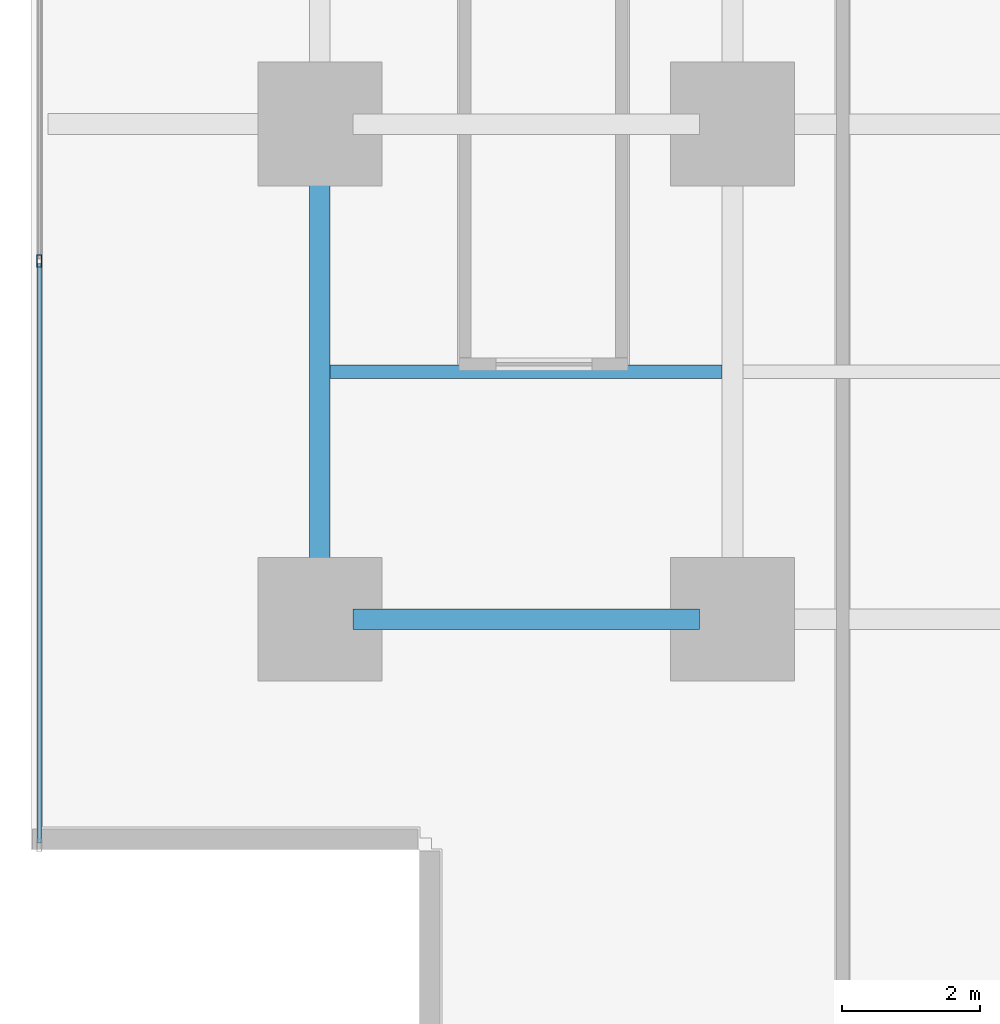
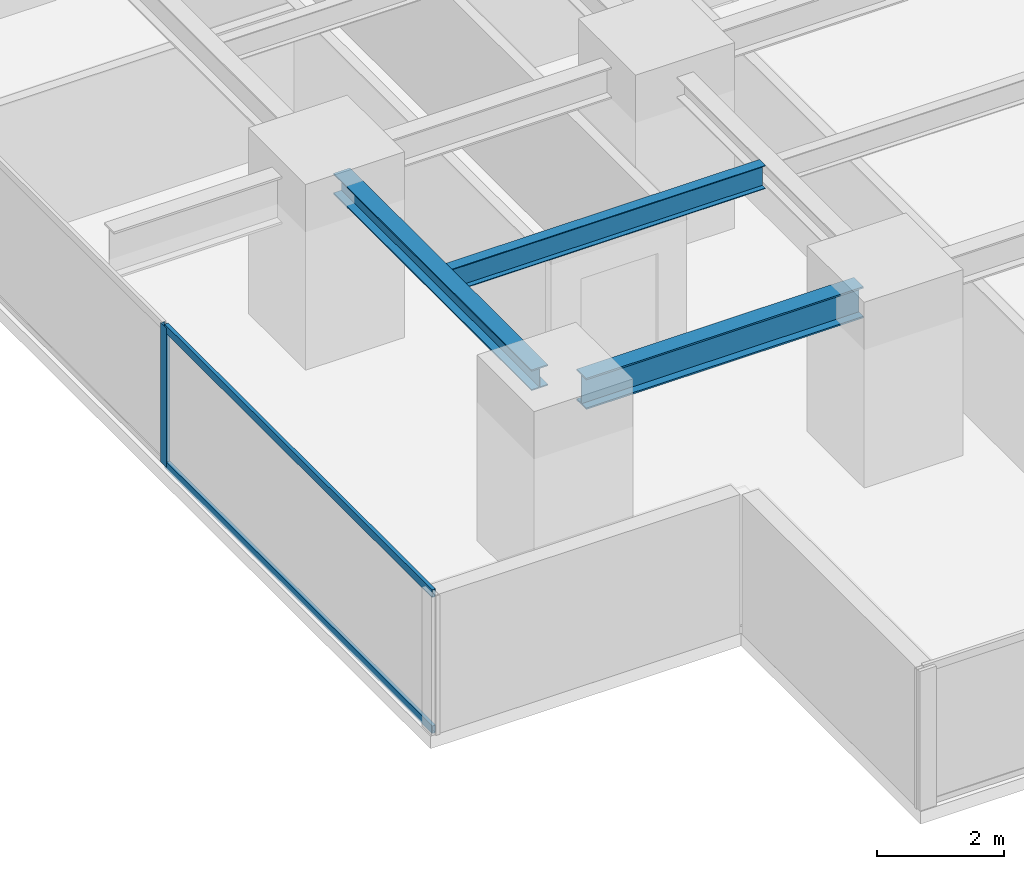
# One storey, part 3 of 33: 3 beams, 3 members, 1 element without a shape of its own.
"""IFC4 building model written with IfcOpenShell, lengths in metres."""

from ifc_helpers import new_model, si_unit, direction, frame, origin, origin_2d, place, context, subcontext, project, spatial, hollow_rectangle, i_section, extrude, source, transform, mapped, material, layer, layer_set, material_profile, profile_set, type_object, element, aggregate, save


model = new_model("IFC4")

# Units and contexts
model_context = context("Model", 3, precision=1e-05, world=origin(), true_north=direction((0.0, 1.0)))
body_context = subcontext(model_context, "Body", "Model", "MODEL_VIEW")
ifc_project = project(units=[si_unit("LENGTHUNIT", "METRE"), si_unit("AREAUNIT", "SQUARE_METRE"), si_unit("VOLUMEUNIT", "CUBIC_METRE"), si_unit("PLANEANGLEUNIT", "RADIAN"), si_unit("MASSUNIT", "GRAM", prefix="KILO")], contexts=[model_context])

# Site, building, storey
site_placement = place(None, origin())
site = spatial("IfcSite", under=ifc_project, at=site_placement, CompositionType="ELEMENT")
building_placement = place(site_placement, origin())
building = spatial("IfcBuilding", under=site, at=building_placement, Name="Sumidabori Civic Tower", CompositionType="ELEMENT")
storey_placement = place(building_placement, frame((0.0, 0.0, 66.800048828125)))
storey = spatial("IfcBuildingStorey", under=building, at=storey_placement, Name="L17", CompositionType="ELEMENT", Elevation=66.800048828125)

# Beams
ifc_material_1 = material(Name="Steel SN490", Category="steel")
ifc_material_profile_1 = material_profile(ifc_material_1, i_section(OverallWidth=0.300048828125, OverallDepth=0.60009765625, WebThickness=0.015380859375, FlangeThickness=0.030029296875, at=origin_2d()), Name="HE 600 B")
ifc_profile_set_1 = profile_set([ifc_material_profile_1], Name="Steel SN490")
beam_type_1 = type_object("IfcBeamType", Name="BM-GIRD-600", PredefinedType="BEAM", material=ifc_profile_set_1)
shared_shape_1 = source(origin(), body_context, "Body", "SweptSolid", [
    extrude(i_section(OverallWidth=0.300048828125, OverallDepth=0.60009765625, WebThickness=0.015380859375, FlangeThickness=0.030029296875, at=origin_2d()), origin(), (0.0, 0.0, 1.0), 5.0400390625),
])
beam_1_placement = place(storey_placement, frame((-22.320068359375, -18.0, 3.0), z_axis=(1.0, 0.0, 0.0), x_axis=(0.0, 1.0, 0.0)))
element("IfcBeam", 1, at=beam_1_placement, inside=storey, type_object=beam_type_1, Name="Primary Girder L17 GX-01", PredefinedType="BEAM", context=body_context, shape_type="MappedRepresentation", body=[
    mapped(shared_shape_1, transform((0.0, 0.0, 0.0), x_axis=(1.0, 0.0, 0.0), y_axis=(0.0, 1.0, 0.0), z_axis=(0.0, 0.0, 1.0), scale=1.0)),
])
ifc_material_profile_2 = material_profile(ifc_material_1, i_section(OverallWidth=0.300048828125, OverallDepth=0.39990234375, WebThickness=0.013427734375, FlangeThickness=0.02392578125, at=origin_2d()), Name="HE 400 B")
ifc_profile_set_2 = profile_set([ifc_material_profile_2], Name="Steel SN490")
beam_type_2 = type_object("IfcBeamType", Name="BM-GIRD-400", PredefinedType="BEAM", material=ifc_profile_set_2)
shared_shape_2 = source(origin(), body_context, "Body", "SweptSolid", [
    extrude(i_section(OverallWidth=0.300048828125, OverallDepth=0.39990234375, WebThickness=0.013427734375, FlangeThickness=0.02392578125, at=origin_2d()), origin(), (0.0, 0.0, 1.0), 6.239990234375),
])
beam_2_placement = place(storey_placement, frame((-22.800048828125, -17.52001953125, 3.099853515625), z_axis=(0.0, 1.0, 0.0), x_axis=(-1.0, 0.0, 0.0)))
element("IfcBeam", 2, at=beam_2_placement, inside=storey, type_object=beam_type_2, Name="Primary Girder L17 GY-21", PredefinedType="BEAM", context=body_context, shape_type="MappedRepresentation", body=[
    mapped(shared_shape_2, transform((0.0, 0.0, 0.0), x_axis=(1.0, 0.0, 0.0), y_axis=(0.0, 1.0, 0.0), z_axis=(0.0, 0.0, 1.0), scale=1.0)),
])
ifc_material_profile_3 = material_profile(ifc_material_1, i_section(OverallWidth=0.18994140625, OverallDepth=0.449951171875, WebThickness=0.009521484375, FlangeThickness=0.0146484375, at=origin_2d()), Name="IPE 450")
ifc_profile_set_3 = profile_set([ifc_material_profile_3], Name="Steel SN490")
beam_type_3 = type_object("IfcBeamType", Name="BM-JST-450", PredefinedType="JOIST", material=ifc_profile_set_3)
shared_shape_3 = source(origin(), body_context, "Body", "SweptSolid", [
    extrude(i_section(OverallWidth=0.18994140625, OverallDepth=0.449951171875, WebThickness=0.009521484375, FlangeThickness=0.0146484375, at=origin_2d()), origin(), (0.0, 0.0, 1.0), 5.699951171875),
])
beam_3_placement = place(storey_placement, frame((-22.64990234375, -14.39990234375, 3.074951171875), z_axis=(1.0, 0.0, 0.0), x_axis=(0.0, 1.0, 0.0)))
element("IfcBeam", 3, at=beam_3_placement, inside=storey, type_object=beam_type_3, Name="Outer Bay Floor Joist L17 JSTO-57", PredefinedType="JOIST", context=body_context, shape_type="MappedRepresentation", body=[
    mapped(shared_shape_3, transform((0.0, 0.0, 0.0), x_axis=(1.0, 0.0, 0.0), y_axis=(0.0, 1.0, 0.0), z_axis=(0.0, 0.0, 1.0), scale=1.0)),
])

# Curtain wall, members
ifc_material_2 = material(Name="Anodised Bronze Aluminium AW-6063-T6", Category="aluminium")
ifc_layer = layer(ifc_material_2, 0.179931640625, Name="Anodised Bronze Aluminium AW-6063-T6")
ifc_layer_set = layer_set([ifc_layer], Name="Anodised Bronze Aluminium AW-6063-T6")
curtain_wall_type = type_object("IfcCurtainWallType", Name="CW-SYS-2", PredefinedType="NOTDEFINED", material=ifc_layer_set)
curtain_wall_placement = place(storey_placement, origin())
curtain_wall = element("IfcCurtainWall", 4, at=curtain_wall_placement, inside=storey, type_object=curtain_wall_type, Name="Curtain Wall CW:L17:R10", PredefinedType="NOTDEFINED")
ifc_material_profile_4 = material_profile(ifc_material_2, hollow_rectangle(XDim=0.06494140625, YDim=0.14990234375, WallThickness=0.0048828125, at=origin_2d()), Name="ALU TRANSOM 150x65")
ifc_profile_set_4 = profile_set([ifc_material_profile_4], Name="Anodised Bronze Aluminium AW-6063-T6")
member_type_1 = type_object("IfcMemberType", Name="CW-TRN-150", PredefinedType="USERDEFINED", material=ifc_profile_set_4)
shared_shape_4 = source(origin(), body_context, "Body", "SweptSolid", [
    extrude(hollow_rectangle(XDim=0.06494140625, YDim=0.14990234375, WallThickness=0.0048828125, at=origin_2d()), origin(), (0.0, 0.0, 1.0), 8.423095703125),
])
member_1_placement = place(storey_placement, frame((-26.8798828125, -12.826904296875, 0.032470703125), z_axis=(0.0, -1.0, 0.0), x_axis=(1.0, 0.0, 0.0)))
member_1 = element("IfcMember", 5, at=member_1_placement, type_object=member_type_1, Name="CW-2 transom 5.1", ObjectType="TRANSOM", PredefinedType="USERDEFINED", context=body_context, shape_type="MappedRepresentation", body=[
    mapped(shared_shape_4, transform((0.0, 0.0, 0.0), x_axis=(1.0, 0.0, 0.0), y_axis=(0.0, 1.0, 0.0), z_axis=(0.0, 0.0, 1.0), scale=1.0)),
])
member_2_placement = place(storey_placement, frame((-26.8798828125, -12.826904296875, 2.6474609375), z_axis=(0.0, -1.0, 0.0), x_axis=(1.0, 0.0, 0.0)))
member_2 = element("IfcMember", 6, at=member_2_placement, type_object=member_type_1, Name="CW-2 transom 5.2", ObjectType="TRANSOM", PredefinedType="USERDEFINED", context=body_context, shape_type="MappedRepresentation", body=[
    mapped(shared_shape_4, transform((0.0, 0.0, 0.0), x_axis=(1.0, 0.0, 0.0), y_axis=(0.0, 1.0, 0.0), z_axis=(0.0, 0.0, 1.0), scale=1.0)),
])
ifc_material_profile_5 = material_profile(ifc_material_2, hollow_rectangle(XDim=0.070068359375, YDim=0.179931640625, WallThickness=0.006103515625, at=origin_2d()), Name="ALU MULLION 180x70")
ifc_profile_set_5 = profile_set([ifc_material_profile_5], Name="Anodised Bronze Aluminium AW-6063-T6")
member_type_2 = type_object("IfcMemberType", Name="CW-MUL-180", PredefinedType="MULLION", material=ifc_profile_set_5)
shared_shape_5 = source(origin(), body_context, "Body", "SweptSolid", [
    extrude(hollow_rectangle(XDim=0.070068359375, YDim=0.179931640625, WallThickness=0.006103515625, at=origin_2d()), origin(), (0.0, 0.0, 1.0), 2.679931640625),
])
member_3_placement = place(storey_placement, frame((-26.8798828125, -12.7919921875, 0.0), z_axis=(0.0, 0.0, 1.0), x_axis=(1.0, 0.0, 0.0)))
member_3 = element("IfcMember", 7, at=member_3_placement, type_object=member_type_2, Name="CW-2 mullion 5", PredefinedType="MULLION", context=body_context, shape_type="MappedRepresentation", body=[
    mapped(shared_shape_5, transform((0.0, 0.0, 0.0), x_axis=(1.0, 0.0, 0.0), y_axis=(0.0, 1.0, 0.0), z_axis=(0.0, 0.0, 1.0), scale=1.0)),
])
aggregate(curtain_wall, [member_3, member_1, member_2])

save(model, "model.ifc")
